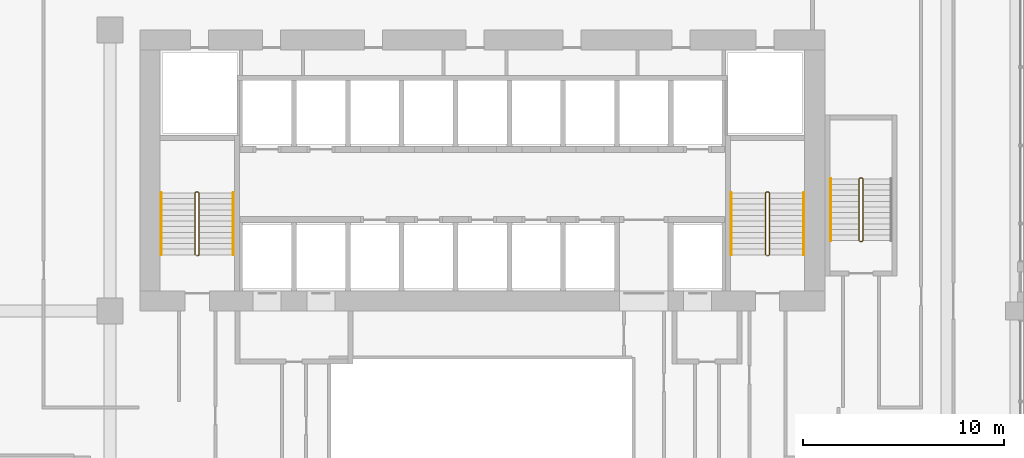
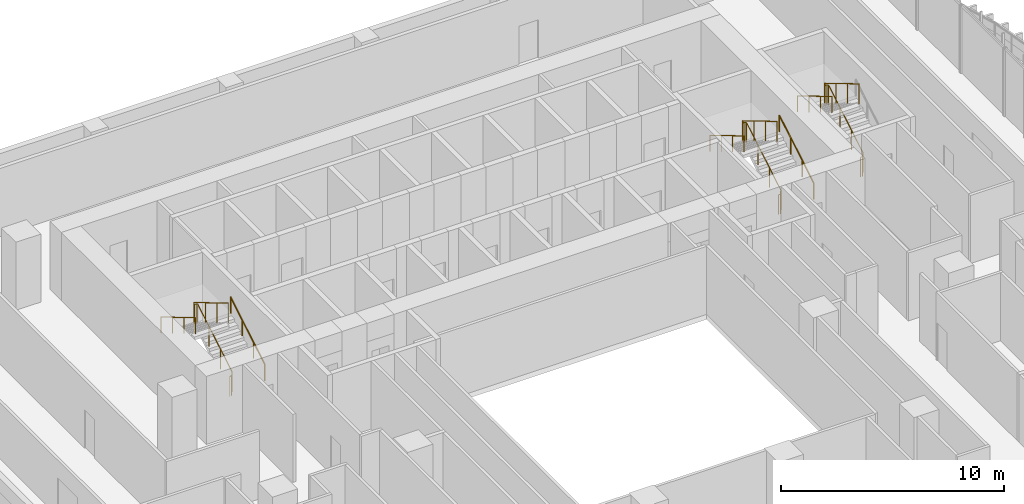
# One storey, part 24 of 25: 8 railings.
"""IFC4 building model written with IfcOpenShell, lengths in metres."""

from ifc_helpers import new_model, si_unit, direction, frame, origin, origin_2d, place, context, subcontext, project, spatial, circle, extrude, material, type_object, element, save


model = new_model("IFC4")

# Units and contexts
model_context = context("Model", 3, precision=1e-05, world=origin(), true_north=direction((0.0, 1.0)))
body_context = subcontext(model_context, "Body", "Model", "MODEL_VIEW")
ifc_project = project(units=[si_unit("LENGTHUNIT", "METRE"), si_unit("AREAUNIT", "SQUARE_METRE"), si_unit("VOLUMEUNIT", "CUBIC_METRE"), si_unit("PLANEANGLEUNIT", "RADIAN"), si_unit("MASSUNIT", "GRAM", prefix="KILO")], contexts=[model_context])

# Site, building, storey
site_placement = place(None, origin())
site = spatial("IfcSite", under=ifc_project, at=site_placement, CompositionType="ELEMENT")
building_placement = place(site_placement, origin())
building = spatial("IfcBuilding", under=site, at=building_placement, Name="Kilnfold Tower and Market Hall", CompositionType="ELEMENT")
storey_placement = place(building_placement, frame((0.0, 0.0, 39.0)))
storey = spatial("IfcBuildingStorey", under=building, at=storey_placement, Name="L08", CompositionType="ELEMENT", Elevation=39.0)

# Railings
ifc_material_1 = material(Name="Stainless steel 316", Category="steel")
railing_type_1 = type_object("IfcRailingType", Name="CORE STAIR GUARD 1100", PredefinedType="GUARDRAIL", material=ifc_material_1)
railing_1_placement = place(storey_placement, frame((-13.199951171875, 10.75, 0.0)))
element("IfcRailing", 1, at=railing_1_placement, inside=storey, type_object=railing_type_1, Name="L08 ST1 stair guard 1", PredefinedType="GUARDRAIL", context=body_context, shape_type="SweptSolid", body=[
    extrude(circle(Radius=0.02392578125, at=origin_2d()), frame((0.0, 0.0, 1.076171875), z_axis=(1.0, 0.0, 0.0), x_axis=(0.0, 1.0, 0.0)), (0.0, 0.0, 1.0), 0.099853515625),
    extrude(circle(Radius=0.02392578125, at=origin_2d()), frame((0.099853515625, 0.0, 1.076171875), z_axis=(0.27628659633, 0.27628659633, 0.920506074601), x_axis=(-0.707106781187, 0.707106781187, 0.0)), (0.0, 0.0, 1.0), 0.18115234375),
    extrude(circle(Radius=0.02392578125, at=origin_2d()), frame((0.14990234375, 0.050048828125, 1.24267578125), z_axis=(0.0, 0.859290745958, 0.51148745235), x_axis=(-1.0, 0.0, 0.0)), (0.0, 0.0, 1.0), 3.584228515625),
    extrude(circle(Radius=0.02392578125, at=origin_2d()), frame((0.14990234375, 3.1298828125, 3.076171875), z_axis=(-0.707106781187, 0.707106781187, 0.0), x_axis=(-0.707106781187, -0.707106781187, 0.0)), (0.0, 0.0, 1.0), 0.07080078125),
    extrude(circle(Radius=0.02392578125, at=origin_2d()), frame((0.099853515625, 3.179931640625, 3.076171875), z_axis=(-1.0, 0.0, 0.0), x_axis=(0.0, -1.0, 0.0)), (0.0, 0.0, 1.0), 0.099853515625),
    extrude(circle(Radius=0.02392578125, at=origin_2d()), frame((0.0, 3.179931640625, 3.076171875), z_axis=(-0.27628659633, -0.27628659633, 0.920506074601), x_axis=(0.707106781187, -0.707106781187, 0.0)), (0.0, 0.0, 1.0), 0.18115234375),
    extrude(circle(Radius=0.02392578125, at=origin_2d()), frame((-0.050048828125, 3.1298828125, 3.24267578125), z_axis=(0.0, -0.859290745958, 0.51148745235), x_axis=(1.0, 0.0, 0.0)), (0.0, 0.0, 1.0), 3.584228515625),
    extrude(circle(Radius=0.02099609375, at=origin_2d()), origin(), (0.0, 0.0, 1.0), 1.052001953125),
    extrude(circle(Radius=0.02099609375, at=origin_2d()), frame((0.099853515625, 0.0, 0.0)), (0.0, 0.0, 1.0), 1.052001953125),
    extrude(circle(Radius=0.02099609375, at=origin_2d()), frame((0.14990234375, 0.050048828125, 0.166748046875)), (0.0, 0.0, 1.0), 1.052001953125),
    extrude(circle(Radius=0.02099609375, at=origin_2d()), frame((0.14990234375, 1.07666015625, 0.77783203125)), (0.0, 0.0, 1.0), 1.052001953125),
    extrude(circle(Radius=0.02099609375, at=origin_2d()), frame((0.14990234375, 2.103271484375, 1.388916015625)), (0.0, 0.0, 1.0), 1.052001953125),
    extrude(circle(Radius=0.02099609375, at=origin_2d()), frame((0.14990234375, 3.1298828125, 2.0)), (0.0, 0.0, 1.0), 1.052001953125),
    extrude(circle(Radius=0.02099609375, at=origin_2d()), frame((0.099853515625, 3.179931640625, 2.0)), (0.0, 0.0, 1.0), 1.052001953125),
    extrude(circle(Radius=0.02099609375, at=origin_2d()), frame((0.0, 3.179931640625, 2.0)), (0.0, 0.0, 1.0), 1.052001953125),
    extrude(circle(Radius=0.02099609375, at=origin_2d()), frame((-0.050048828125, 3.1298828125, 2.166748046875)), (0.0, 0.0, 1.0), 1.052001953125),
    extrude(circle(Radius=0.02099609375, at=origin_2d()), frame((-0.050048828125, 2.103271484375, 2.77783203125)), (0.0, 0.0, 1.0), 1.052001953125),
    extrude(circle(Radius=0.02099609375, at=origin_2d()), frame((-0.050048828125, 1.07666015625, 3.388916015625)), (0.0, 0.0, 1.0), 1.052001953125),
    extrude(circle(Radius=0.02099609375, at=origin_2d()), frame((-0.050048828125, 0.050048828125, 4.0)), (0.0, 0.0, 1.0), 1.052001953125),
])
railing_2_placement = place(storey_placement, frame((15.199951171875, 10.75, 0.0)))
element("IfcRailing", 2, at=railing_2_placement, inside=storey, type_object=railing_type_1, Name="L08 ST2 stair guard 1", PredefinedType="GUARDRAIL", context=body_context, shape_type="SweptSolid", body=[
    extrude(circle(Radius=0.02392578125, at=origin_2d()), frame((0.0, 0.0, 1.076171875), z_axis=(1.0, 0.0, 0.0), x_axis=(0.0, 1.0, 0.0)), (0.0, 0.0, 1.0), 0.10009765625),
    extrude(circle(Radius=0.02392578125, at=origin_2d()), frame((0.10009765625, 0.0, 1.076171875), z_axis=(0.27628659633, 0.27628659633, 0.920506074601), x_axis=(-0.707106781187, 0.707106781187, 0.0)), (0.0, 0.0, 1.0), 0.18115234375),
    extrude(circle(Radius=0.02392578125, at=origin_2d()), frame((0.150146484375, 0.050048828125, 1.24267578125), z_axis=(0.0, 0.859290745958, 0.51148745235), x_axis=(-1.0, 0.0, 0.0)), (0.0, 0.0, 1.0), 3.584228515625),
    extrude(circle(Radius=0.02392578125, at=origin_2d()), frame((0.150146484375, 3.1298828125, 3.076171875), z_axis=(-0.707106781187, 0.707106781187, 0.0), x_axis=(-0.707106781187, -0.707106781187, 0.0)), (0.0, 0.0, 1.0), 0.07080078125),
    extrude(circle(Radius=0.02392578125, at=origin_2d()), frame((0.10009765625, 3.179931640625, 3.076171875), z_axis=(-1.0, 0.0, 0.0), x_axis=(0.0, -1.0, 0.0)), (0.0, 0.0, 1.0), 0.10009765625),
    extrude(circle(Radius=0.02392578125, at=origin_2d()), frame((0.0, 3.179931640625, 3.076171875), z_axis=(-0.27628659633, -0.27628659633, 0.920506074601), x_axis=(0.707106781187, -0.707106781187, 0.0)), (0.0, 0.0, 1.0), 0.18115234375),
    extrude(circle(Radius=0.02392578125, at=origin_2d()), frame((-0.050048828125, 3.1298828125, 3.24267578125), z_axis=(0.0, -0.859290745958, 0.51148745235), x_axis=(1.0, 0.0, 0.0)), (0.0, 0.0, 1.0), 3.584228515625),
    extrude(circle(Radius=0.02099609375, at=origin_2d()), origin(), (0.0, 0.0, 1.0), 1.052001953125),
    extrude(circle(Radius=0.02099609375, at=origin_2d()), frame((0.10009765625, 0.0, 0.0)), (0.0, 0.0, 1.0), 1.052001953125),
    extrude(circle(Radius=0.02099609375, at=origin_2d()), frame((0.150146484375, 0.050048828125, 0.166748046875)), (0.0, 0.0, 1.0), 1.052001953125),
    extrude(circle(Radius=0.02099609375, at=origin_2d()), frame((0.150146484375, 1.07666015625, 0.77783203125)), (0.0, 0.0, 1.0), 1.052001953125),
    extrude(circle(Radius=0.02099609375, at=origin_2d()), frame((0.150146484375, 2.103271484375, 1.388916015625)), (0.0, 0.0, 1.0), 1.052001953125),
    extrude(circle(Radius=0.02099609375, at=origin_2d()), frame((0.150146484375, 3.1298828125, 2.0)), (0.0, 0.0, 1.0), 1.052001953125),
    extrude(circle(Radius=0.02099609375, at=origin_2d()), frame((0.10009765625, 3.179931640625, 2.0)), (0.0, 0.0, 1.0), 1.052001953125),
    extrude(circle(Radius=0.02099609375, at=origin_2d()), frame((0.0, 3.179931640625, 2.0)), (0.0, 0.0, 1.0), 1.052001953125),
    extrude(circle(Radius=0.02099609375, at=origin_2d()), frame((-0.050048828125, 3.1298828125, 2.166748046875)), (0.0, 0.0, 1.0), 1.052001953125),
    extrude(circle(Radius=0.02099609375, at=origin_2d()), frame((-0.050048828125, 2.103271484375, 2.77783203125)), (0.0, 0.0, 1.0), 1.052001953125),
    extrude(circle(Radius=0.02099609375, at=origin_2d()), frame((-0.050048828125, 1.07666015625, 3.388916015625)), (0.0, 0.0, 1.0), 1.052001953125),
    extrude(circle(Radius=0.02099609375, at=origin_2d()), frame((-0.050048828125, 0.050048828125, 4.0)), (0.0, 0.0, 1.0), 1.052001953125),
])
railing_3_placement = place(storey_placement, frame((19.85009765625, 11.449951171875, 0.0)))
element("IfcRailing", 3, at=railing_3_placement, inside=storey, type_object=railing_type_1, Name="L08 ST5 stair guard 1", PredefinedType="GUARDRAIL", context=body_context, shape_type="SweptSolid", body=[
    extrude(circle(Radius=0.02392578125, at=origin_2d()), frame((0.0, 0.0, 1.076171875), z_axis=(1.0, 0.0, 0.0), x_axis=(0.0, 1.0, 0.0)), (0.0, 0.0, 1.0), 0.099853515625),
    extrude(circle(Radius=0.02392578125, at=origin_2d()), frame((0.099853515625, 0.0, 1.076171875), z_axis=(0.27628659633, 0.27628659633, 0.920506074601), x_axis=(-0.707106781187, 0.707106781187, 0.0)), (0.0, 0.0, 1.0), 0.18115234375),
    extrude(circle(Radius=0.02392578125, at=origin_2d()), frame((0.14990234375, 0.050048828125, 1.24267578125), z_axis=(0.0, 0.859308565015, 0.511457515432), x_axis=(-1.0, 0.0, 0.0)), (0.0, 0.0, 1.0), 3.58447265625),
    extrude(circle(Radius=0.02392578125, at=origin_2d()), frame((0.14990234375, 3.130126953125, 3.076171875), z_axis=(-0.708833529934, 0.705375805398, 0.0), x_axis=(-0.705375805398, -0.708833529934, 0.0)), (0.0, 0.0, 1.0), 0.070556640625),
    extrude(circle(Radius=0.02392578125, at=origin_2d()), frame((0.099853515625, 3.179931640625, 3.076171875), z_axis=(-1.0, 0.0, 0.0), x_axis=(0.0, -1.0, 0.0)), (0.0, 0.0, 1.0), 0.099853515625),
    extrude(circle(Radius=0.02392578125, at=origin_2d()), frame((0.0, 3.179931640625, 3.076171875), z_axis=(-0.276389281352, -0.275041040955, 0.920848191041), x_axis=(0.705375805398, -0.708833529934, 0.0)), (0.0, 0.0, 1.0), 0.18115234375),
    extrude(circle(Radius=0.02392578125, at=origin_2d()), frame((-0.050048828125, 3.130126953125, 3.24267578125), z_axis=(0.0, -0.859308565015, 0.511457515432), x_axis=(1.0, 0.0, 0.0)), (0.0, 0.0, 1.0), 3.58447265625),
    extrude(circle(Radius=0.02099609375, at=origin_2d()), origin(), (0.0, 0.0, 1.0), 1.052001953125),
    extrude(circle(Radius=0.02099609375, at=origin_2d()), frame((0.099853515625, 0.0, 0.0)), (0.0, 0.0, 1.0), 1.052001953125),
    extrude(circle(Radius=0.02099609375, at=origin_2d()), frame((0.14990234375, 0.050048828125, 0.166748046875)), (0.0, 0.0, 1.0), 1.052001953125),
    extrude(circle(Radius=0.02099609375, at=origin_2d()), frame((0.14990234375, 1.07666015625, 0.77783203125)), (0.0, 0.0, 1.0), 1.052001953125),
    extrude(circle(Radius=0.02099609375, at=origin_2d()), frame((0.14990234375, 2.103515625, 1.388916015625)), (0.0, 0.0, 1.0), 1.052001953125),
    extrude(circle(Radius=0.02099609375, at=origin_2d()), frame((0.14990234375, 3.130126953125, 2.0)), (0.0, 0.0, 1.0), 1.052001953125),
    extrude(circle(Radius=0.02099609375, at=origin_2d()), frame((0.099853515625, 3.179931640625, 2.0)), (0.0, 0.0, 1.0), 1.052001953125),
    extrude(circle(Radius=0.02099609375, at=origin_2d()), frame((0.0, 3.179931640625, 2.0)), (0.0, 0.0, 1.0), 1.052001953125),
    extrude(circle(Radius=0.02099609375, at=origin_2d()), frame((-0.050048828125, 3.130126953125, 2.166748046875)), (0.0, 0.0, 1.0), 1.052001953125),
    extrude(circle(Radius=0.02099609375, at=origin_2d()), frame((-0.050048828125, 2.103515625, 2.77783203125)), (0.0, 0.0, 1.0), 1.052001953125),
    extrude(circle(Radius=0.02099609375, at=origin_2d()), frame((-0.050048828125, 1.07666015625, 3.388916015625)), (0.0, 0.0, 1.0), 1.052001953125),
    extrude(circle(Radius=0.02099609375, at=origin_2d()), frame((-0.050048828125, 0.050048828125, 4.0)), (0.0, 0.0, 1.0), 1.052001953125),
])
ifc_material_2 = material(Name="Stainless steel 316", Category="steel")
railing_type_2 = type_object("IfcRailingType", Name="CORE STAIR HANDRAIL 900", PredefinedType="HANDRAIL", material=ifc_material_2)
railing_4_placement = place(storey_placement, frame((-11.35009765625, 10.800048828125, 0.166748046875)))
element("IfcRailing", 4, at=railing_4_placement, inside=storey, type_object=railing_type_2, Name="L08 ST1 stair handrail 1", PredefinedType="HANDRAIL", context=body_context, shape_type="SweptSolid", body=[
    extrude(circle(Radius=0.02392578125, at=origin_2d()), frame((0.0, 0.0, 0.8759765625), z_axis=(0.0, 0.859290745958, 0.51148745235), x_axis=(-1.0, 0.0, 0.0)), (0.0, 0.0, 1.0), 3.584228515625),
    extrude(circle(Radius=0.02099609375, at=origin_2d()), origin(), (0.0, 0.0, 1.0), 0.851806640625),
    extrude(circle(Radius=0.02099609375, at=origin_2d()), frame((0.0, 1.026611328125, 0.611083984375)), (0.0, 0.0, 1.0), 0.851806640625),
    extrude(circle(Radius=0.02099609375, at=origin_2d()), frame((0.0, 2.05322265625, 1.22216796875)), (0.0, 0.0, 1.0), 0.851806640625),
    extrude(circle(Radius=0.02099609375, at=origin_2d()), frame((0.0, 3.079833984375, 1.833251953125)), (0.0, 0.0, 1.0), 0.851806640625),
])
railing_5_placement = place(storey_placement, frame((-14.949951171875, 13.8798828125, 2.166748046875)))
element("IfcRailing", 5, at=railing_5_placement, inside=storey, type_object=railing_type_2, Name="L08 ST1 stair handrail 2", PredefinedType="HANDRAIL", context=body_context, shape_type="SweptSolid", body=[
    extrude(circle(Radius=0.02392578125, at=origin_2d()), frame((0.0, 0.0, 0.8759765625), z_axis=(0.0, -0.859290745958, 0.51148745235), x_axis=(1.0, 0.0, 0.0)), (0.0, 0.0, 1.0), 3.584228515625),
    extrude(circle(Radius=0.02099609375, at=origin_2d()), origin(), (0.0, 0.0, 1.0), 0.851806640625),
    extrude(circle(Radius=0.02099609375, at=origin_2d()), frame((0.0, -1.026611328125, 0.611083984375)), (0.0, 0.0, 1.0), 0.851806640625),
    extrude(circle(Radius=0.02099609375, at=origin_2d()), frame((0.0, -2.05322265625, 1.22216796875)), (0.0, 0.0, 1.0), 0.851806640625),
    extrude(circle(Radius=0.02099609375, at=origin_2d()), frame((0.0, -3.079833984375, 1.833251953125)), (0.0, 0.0, 1.0), 0.851806640625),
])
railing_6_placement = place(storey_placement, frame((17.050048828125, 10.800048828125, 0.166748046875)))
element("IfcRailing", 6, at=railing_6_placement, inside=storey, type_object=railing_type_2, Name="L08 ST2 stair handrail 1", PredefinedType="HANDRAIL", context=body_context, shape_type="SweptSolid", body=[
    extrude(circle(Radius=0.02392578125, at=origin_2d()), frame((0.0, 0.0, 0.8759765625), z_axis=(0.0, 0.859290745958, 0.51148745235), x_axis=(-1.0, 0.0, 0.0)), (0.0, 0.0, 1.0), 3.584228515625),
    extrude(circle(Radius=0.02099609375, at=origin_2d()), origin(), (0.0, 0.0, 1.0), 0.851806640625),
    extrude(circle(Radius=0.02099609375, at=origin_2d()), frame((0.0, 1.026611328125, 0.611083984375)), (0.0, 0.0, 1.0), 0.851806640625),
    extrude(circle(Radius=0.02099609375, at=origin_2d()), frame((0.0, 2.05322265625, 1.22216796875)), (0.0, 0.0, 1.0), 0.851806640625),
    extrude(circle(Radius=0.02099609375, at=origin_2d()), frame((0.0, 3.079833984375, 1.833251953125)), (0.0, 0.0, 1.0), 0.851806640625),
])
railing_7_placement = place(storey_placement, frame((13.449951171875, 13.8798828125, 2.166748046875)))
element("IfcRailing", 7, at=railing_7_placement, inside=storey, type_object=railing_type_2, Name="L08 ST2 stair handrail 2", PredefinedType="HANDRAIL", context=body_context, shape_type="SweptSolid", body=[
    extrude(circle(Radius=0.02392578125, at=origin_2d()), frame((0.0, 0.0, 0.8759765625), z_axis=(0.0, -0.859290745958, 0.51148745235), x_axis=(1.0, 0.0, 0.0)), (0.0, 0.0, 1.0), 3.584228515625),
    extrude(circle(Radius=0.02099609375, at=origin_2d()), origin(), (0.0, 0.0, 1.0), 0.851806640625),
    extrude(circle(Radius=0.02099609375, at=origin_2d()), frame((0.0, -1.026611328125, 0.611083984375)), (0.0, 0.0, 1.0), 0.851806640625),
    extrude(circle(Radius=0.02099609375, at=origin_2d()), frame((0.0, -2.05322265625, 1.22216796875)), (0.0, 0.0, 1.0), 0.851806640625),
    extrude(circle(Radius=0.02099609375, at=origin_2d()), frame((0.0, -3.079833984375, 1.833251953125)), (0.0, 0.0, 1.0), 0.851806640625),
])
railing_8_placement = place(storey_placement, frame((18.39990234375, 14.580078125, 2.166748046875)))
element("IfcRailing", 8, at=railing_8_placement, inside=storey, type_object=railing_type_2, Name="L08 ST5 stair handrail 2", PredefinedType="HANDRAIL", context=body_context, shape_type="SweptSolid", body=[
    extrude(circle(Radius=0.02392578125, at=origin_2d()), frame((0.0, 0.0, 0.8759765625), z_axis=(0.0, -0.859308565015, 0.511457515432), x_axis=(1.0, 0.0, 0.0)), (0.0, 0.0, 1.0), 3.58447265625),
    extrude(circle(Radius=0.02099609375, at=origin_2d()), origin(), (0.0, 0.0, 1.0), 0.851806640625),
    extrude(circle(Radius=0.02099609375, at=origin_2d()), frame((0.0, -1.026611328125, 0.611083984375)), (0.0, 0.0, 1.0), 0.851806640625),
    extrude(circle(Radius=0.02099609375, at=origin_2d()), frame((0.0, -2.053466796875, 1.22216796875)), (0.0, 0.0, 1.0), 0.851806640625),
    extrude(circle(Radius=0.02099609375, at=origin_2d()), frame((0.0, -3.080078125, 1.833251953125)), (0.0, 0.0, 1.0), 0.851806640625),
])

save(model, "model.ifc")
